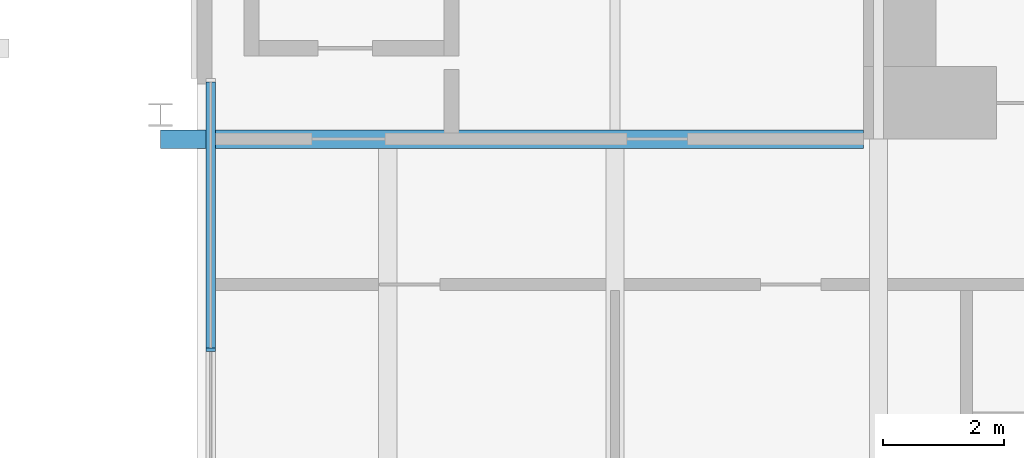
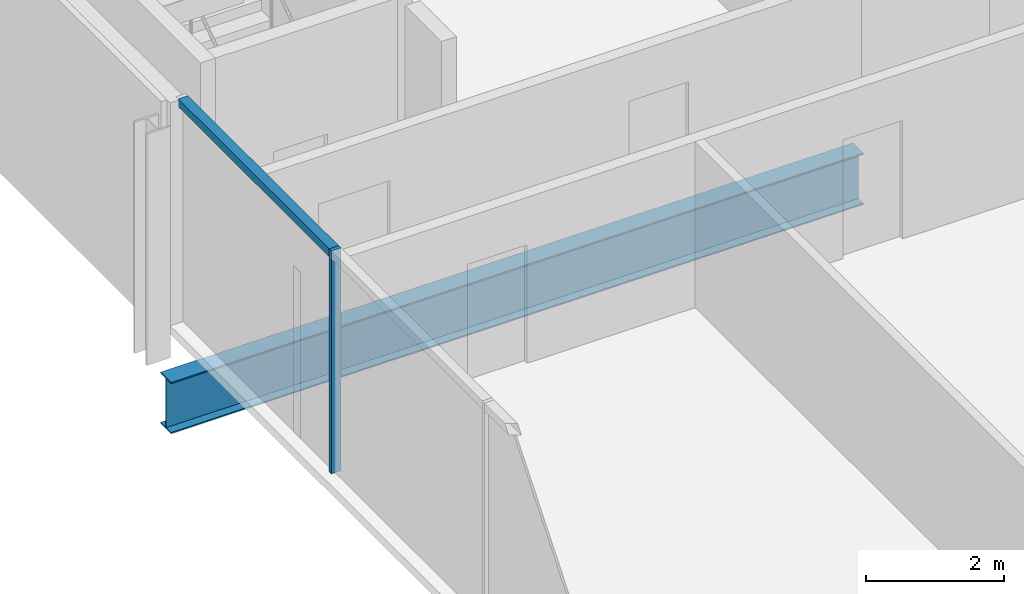
# One storey, part 7 of 33: 2 members, 1 beam, 1 element without a shape of its own.
"""IFC4 building model written with IfcOpenShell, lengths in metres."""

from ifc_helpers import new_model, si_unit, direction, frame, origin, origin_2d, place, context, subcontext, project, spatial, rectangle, i_section, extrude, material, material_profile, profile_set, type_object, element, aggregate, save


model = new_model("IFC4")

# Units and contexts
model_context = context("Model", 3, precision=1e-05, world=origin(), true_north=direction((0.0, 1.0)))
body_context = subcontext(model_context, "Body", "Model", "MODEL_VIEW")
ifc_project = project(units=[si_unit("LENGTHUNIT", "METRE"), si_unit("AREAUNIT", "SQUARE_METRE"), si_unit("VOLUMEUNIT", "CUBIC_METRE"), si_unit("PLANEANGLEUNIT", "RADIAN"), si_unit("MASSUNIT", "GRAM", prefix="KILO")], contexts=[model_context])

# Site, building, storey
site_placement = place(None, origin())
site = spatial("IfcSite", under=ifc_project, at=site_placement, CompositionType="ELEMENT")
building_placement = place(site_placement, origin())
building = spatial("IfcBuilding", under=site, at=building_placement, Name="Bicima Exchange Tower", CompositionType="ELEMENT")
storey_placement = place(building_placement, frame((0.0, 0.0, 140.39990234375)))
storey = spatial("IfcBuildingStorey", under=building, at=storey_placement, Name="L30", CompositionType="ELEMENT", Elevation=140.39990234375)

# Beam
ifc_material_1 = material(Name="Steel ASTM A992 Gr 50", Category="steel")
ifc_material_profile_1 = material_profile(ifc_material_1, i_section(OverallWidth=0.3046875, OverallDepth=0.911865234375, WebThickness=0.015869140625, FlangeThickness=0.02392578125, at=origin_2d()))
ifc_profile_set_1 = profile_set([ifc_material_profile_1], Name="Steel ASTM A992 Gr 50")
beam_type = type_object("IfcBeamType", Name="Core-line girder W36x150", PredefinedType="BEAM", material=ifc_profile_set_1)
beam_placement = place(storey_placement, frame((-22.0, -13.0, -0.605712890625), z_axis=(-1.0, 0.0, 0.0), x_axis=(0.0, -1.0, 0.0)))
element("IfcBeam", 1, at=beam_placement, inside=storey, type_object=beam_type, Name="Core-line girder", PredefinedType="BEAM", context=body_context, shape_type="SweptSolid", body=[
    extrude(i_section(OverallWidth=0.3046875, OverallDepth=0.911865234375, WebThickness=0.015869140625, FlangeThickness=0.02392578125, at=origin_2d()), origin(), (0.0, 0.0, 1.0), 11.60009765625),
])

# Curtain wall, members
ifc_material_2 = material(Name="Anodised bronze aluminium", Category="aluminium")
curtain_wall_type = type_object("IfcCurtainWallType", Name="End face glass wall", PredefinedType="NOTDEFINED", material=ifc_material_2)
curtain_wall_placement = place(storey_placement, origin())
curtain_wall = element("IfcCurtainWall", 2, at=curtain_wall_placement, inside=storey, type_object=curtain_wall_type, Name="End face glass wall L30 run 6", PredefinedType="NOTDEFINED")
ifc_material_profile_2 = material_profile(ifc_material_2, rectangle(XDim=0.159912109375, YDim=0.06005859375, at=origin_2d()))
ifc_profile_set_2 = profile_set([ifc_material_profile_2], Name="Anodised bronze aluminium")
member_type_1 = type_object("IfcMemberType", Name="End face glass wall mullion 60 x 160", PredefinedType="MULLION", material=ifc_profile_set_2)
member_1_placement = place(storey_placement, frame((-32.77001953125, -16.473388671875, 0.0), z_axis=(0.0, 0.0, 1.0), x_axis=(1.0, 0.0, 0.0)))
member_1 = element("IfcMember", 3, at=member_1_placement, type_object=member_type_1, Name="End face glass wall mullion 2", PredefinedType="MULLION", context=body_context, shape_type="SweptSolid", body=[
    extrude(rectangle(XDim=0.159912109375, YDim=0.06005859375, at=origin_2d()), origin(), (0.0, 0.0, 1.0), 3.9501953125),
])
ifc_material_profile_3 = material_profile(ifc_material_2, rectangle(XDim=0.159912109375, YDim=0.139892578125, at=origin_2d()))
ifc_profile_set_3 = profile_set([ifc_material_profile_3], Name="Anodised bronze aluminium")
member_type_2 = type_object("IfcMemberType", Name="End face glass wall transom 140 x 160", PredefinedType="USERDEFINED", material=ifc_profile_set_3)
member_2_placement = place(storey_placement, frame((-32.77001953125, -12.06005859375, 3.880126953125), z_axis=(0.0, -1.0, 0.0), x_axis=(1.0, 0.0, 0.0)))
member_2 = element("IfcMember", 4, at=member_2_placement, type_object=member_type_2, Name="End face glass wall transom 1.1", ObjectType="TRANSOM", PredefinedType="USERDEFINED", context=body_context, shape_type="SweptSolid", body=[
    extrude(rectangle(XDim=0.159912109375, YDim=0.139892578125, at=origin_2d()), origin(), (0.0, 0.0, 1.0), 4.383544921875),
])
aggregate(curtain_wall, [member_1, member_2])

save(model, "model.ifc")
